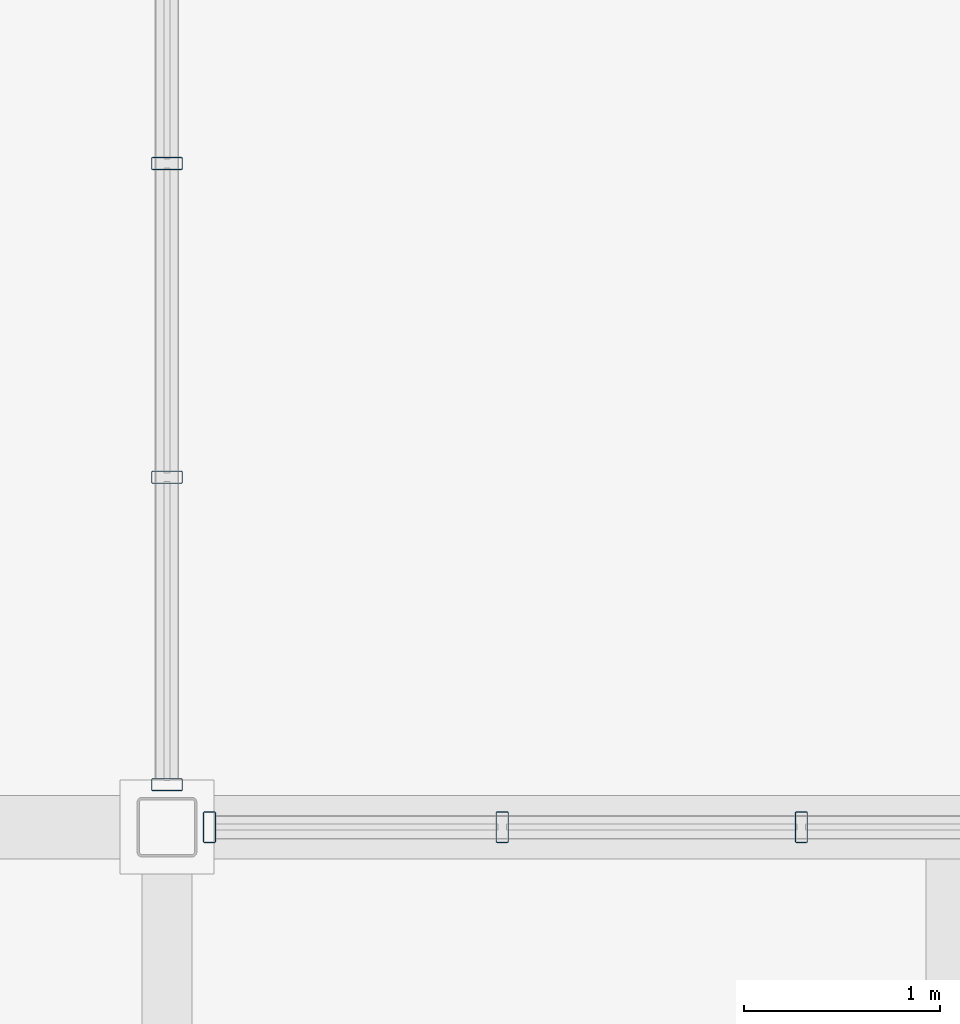
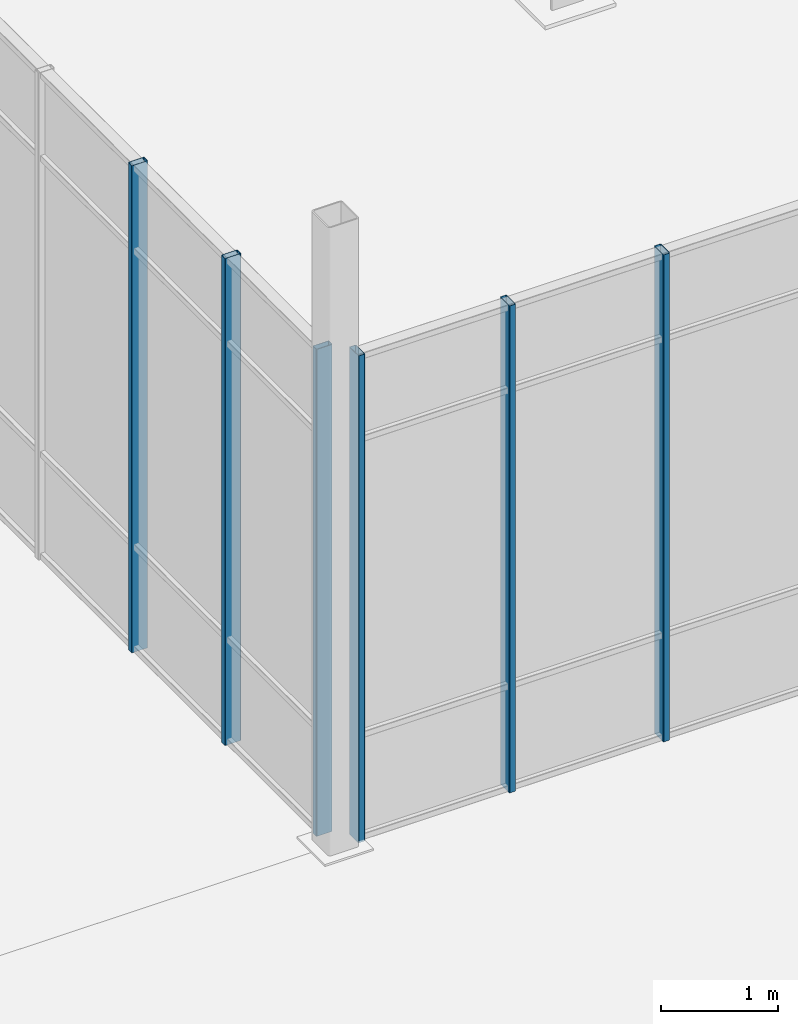
# One storey, part 27 of 140: 6 members, 2 elements without a shape of their own.
"""IFC4 building model written with IfcOpenShell, lengths in metres."""

from ifc_helpers import new_model, si_unit, direction, frame, origin, origin_2d, place, context, subcontext, project, spatial, hollow_rectangle, extrude, material, material_profile, profile_set, type_object, element, aggregate, save


model = new_model("IFC4")

# Units and contexts
model_context = context("Model", 3, precision=1e-05, world=origin(), true_north=direction((0.0, 1.0)))
body_context = subcontext(model_context, "Body", "Model", "MODEL_VIEW")
ifc_project = project(units=[si_unit("LENGTHUNIT", "METRE"), si_unit("AREAUNIT", "SQUARE_METRE"), si_unit("VOLUMEUNIT", "CUBIC_METRE"), si_unit("PLANEANGLEUNIT", "RADIAN"), si_unit("MASSUNIT", "GRAM", prefix="KILO")], contexts=[model_context])

# Site, building, storey
site_placement = place(None, origin())
site = spatial("IfcSite", under=ifc_project, at=site_placement, CompositionType="ELEMENT")
building_placement = place(site_placement, origin())
building = spatial("IfcBuilding", under=site, at=building_placement, Name="Verrall Gate Interchange", CompositionType="ELEMENT")
storey_placement = place(building_placement, origin())
storey = spatial("IfcBuildingStorey", under=building, at=storey_placement, Name="L01", CompositionType="ELEMENT", Elevation=0.0)

# Curtain wall, members
ifc_material_1 = material(Name="Thermally Broken Anodized Aluminium Curtain Wall Framing", Category="aluminium")
curtain_wall_type_1 = type_object("IfcCurtainWallType", Name="CW-06 Unitized Curtain Wall 7631x5100", PredefinedType="NOTDEFINED", material=ifc_material_1)
curtain_wall_1_placement = place(storey_placement, origin())
curtain_wall_1 = element("IfcCurtainWall", 1, at=curtain_wall_1_placement, inside=storey, type_object=curtain_wall_type_1, Name="L01 Unitized Curtain Wall CW-L01-020", PredefinedType="NOTDEFINED")
ifc_material_2 = material(Name="Thermally Broken Anodized Aluminium Curtain Wall Framing", Category="aluminium")
ifc_material_profile = material_profile(ifc_material_2, hollow_rectangle(XDim=0.06494140625, YDim=0.159912109375, WallThickness=0.00390625, InnerFilletRadius=0.00390625, OuterFilletRadius=0.008056640625, at=origin_2d()), Name="CWM160x65x4")
ifc_profile_set = profile_set([ifc_material_profile], Name="Thermally Broken Anodized Aluminium Curtain Wall Framing")
member_type = type_object("IfcMemberType", Name="CM-01 Curtain Mullion CWM160x65x4", PredefinedType="MULLION", material=ifc_profile_set)
member_1_placement = place(storey_placement, frame((63.23681640625, 56.0, 0.0), z_axis=(0.0, 0.0, 1.0), x_axis=(-1.0, 0.0, 0.0)))
member_1 = element("IfcMember", 2, at=member_1_placement, type_object=member_type, Name="CW-L01-020 Mullion 4", PredefinedType="MULLION", context=body_context, shape_type="SweptSolid", body=[
    extrude(hollow_rectangle(XDim=0.06494140625, YDim=0.159912109375, WallThickness=0.00390625, InnerFilletRadius=0.00390625, OuterFilletRadius=0.008056640625, at=origin_2d()), origin(), (0.0, 0.0, 1.0), 5.10009765625),
])
member_2_placement = place(storey_placement, frame((61.710693359375, 56.0, 0.0), z_axis=(0.0, 0.0, 1.0), x_axis=(-1.0, 0.0, 0.0)))
member_2 = element("IfcMember", 3, at=member_2_placement, type_object=member_type, Name="CW-L01-020 Mullion 5", PredefinedType="MULLION", context=body_context, shape_type="SweptSolid", body=[
    extrude(hollow_rectangle(XDim=0.06494140625, YDim=0.159912109375, WallThickness=0.00390625, InnerFilletRadius=0.00390625, OuterFilletRadius=0.008056640625, at=origin_2d()), origin(), (0.0, 0.0, 1.0), 5.10009765625),
])
member_3_placement = place(storey_placement, frame((60.217041015625, 56.0, 0.0), z_axis=(0.0, 0.0, 1.0), x_axis=(-1.0, 0.0, 0.0)))
member_3 = element("IfcMember", 4, at=member_3_placement, type_object=member_type, Name="CW-L01-020 Mullion 6", PredefinedType="MULLION", context=body_context, shape_type="SweptSolid", body=[
    extrude(hollow_rectangle(XDim=0.06494140625, YDim=0.159912109375, WallThickness=0.00390625, InnerFilletRadius=0.00390625, OuterFilletRadius=0.008056640625, at=origin_2d()), origin(), (0.0, 0.0, 1.0), 5.10009765625),
])
aggregate(curtain_wall_1, [member_1, member_2, member_3])

ifc_material_3 = material(Name="Thermally Broken Anodized Aluminium Curtain Wall Framing", Category="aluminium")
curtain_wall_type_2 = type_object("IfcCurtainWallType", Name="CW-07 Unitized Curtain Wall 9606x5100", PredefinedType="NOTDEFINED", material=ifc_material_3)
curtain_wall_2_placement = place(storey_placement, origin())
curtain_wall_2 = element("IfcCurtainWall", 5, at=curtain_wall_2_placement, inside=storey, type_object=curtain_wall_type_2, Name="L01 Unitized Curtain Wall CW-L01-024", PredefinedType="NOTDEFINED")
member_4_placement = place(storey_placement, frame((60.0, 59.38623046875, 0.0), z_axis=(0.0, 0.0, 1.0), x_axis=(0.0, -1.0, 0.0)))
member_4 = element("IfcMember", 6, at=member_4_placement, type_object=member_type, Name="CW-L01-024 Mullion 5", PredefinedType="MULLION", context=body_context, shape_type="SweptSolid", body=[
    extrude(hollow_rectangle(XDim=0.06494140625, YDim=0.159912109375, WallThickness=0.00390625, InnerFilletRadius=0.00390625, OuterFilletRadius=0.008056640625, at=origin_2d()), origin(), (0.0, 0.0, 1.0), 5.10009765625),
])
member_5_placement = place(storey_placement, frame((60.0, 57.785400390625, 0.0), z_axis=(0.0, 0.0, 1.0), x_axis=(0.0, -1.0, 0.0)))
member_5 = element("IfcMember", 7, at=member_5_placement, type_object=member_type, Name="CW-L01-024 Mullion 6", PredefinedType="MULLION", context=body_context, shape_type="SweptSolid", body=[
    extrude(hollow_rectangle(XDim=0.06494140625, YDim=0.159912109375, WallThickness=0.00390625, InnerFilletRadius=0.00390625, OuterFilletRadius=0.008056640625, at=origin_2d()), origin(), (0.0, 0.0, 1.0), 5.10009765625),
])
member_6_placement = place(storey_placement, frame((60.0, 56.217041015625, 0.0), z_axis=(0.0, 0.0, 1.0), x_axis=(0.0, -1.0, 0.0)))
member_6 = element("IfcMember", 8, at=member_6_placement, type_object=member_type, Name="CW-L01-024 Mullion 7", PredefinedType="MULLION", context=body_context, shape_type="SweptSolid", body=[
    extrude(hollow_rectangle(XDim=0.06494140625, YDim=0.159912109375, WallThickness=0.00390625, InnerFilletRadius=0.00390625, OuterFilletRadius=0.008056640625, at=origin_2d()), origin(), (0.0, 0.0, 1.0), 5.10009765625),
])
aggregate(curtain_wall_2, [member_4, member_5, member_6])

save(model, "model.ifc")
